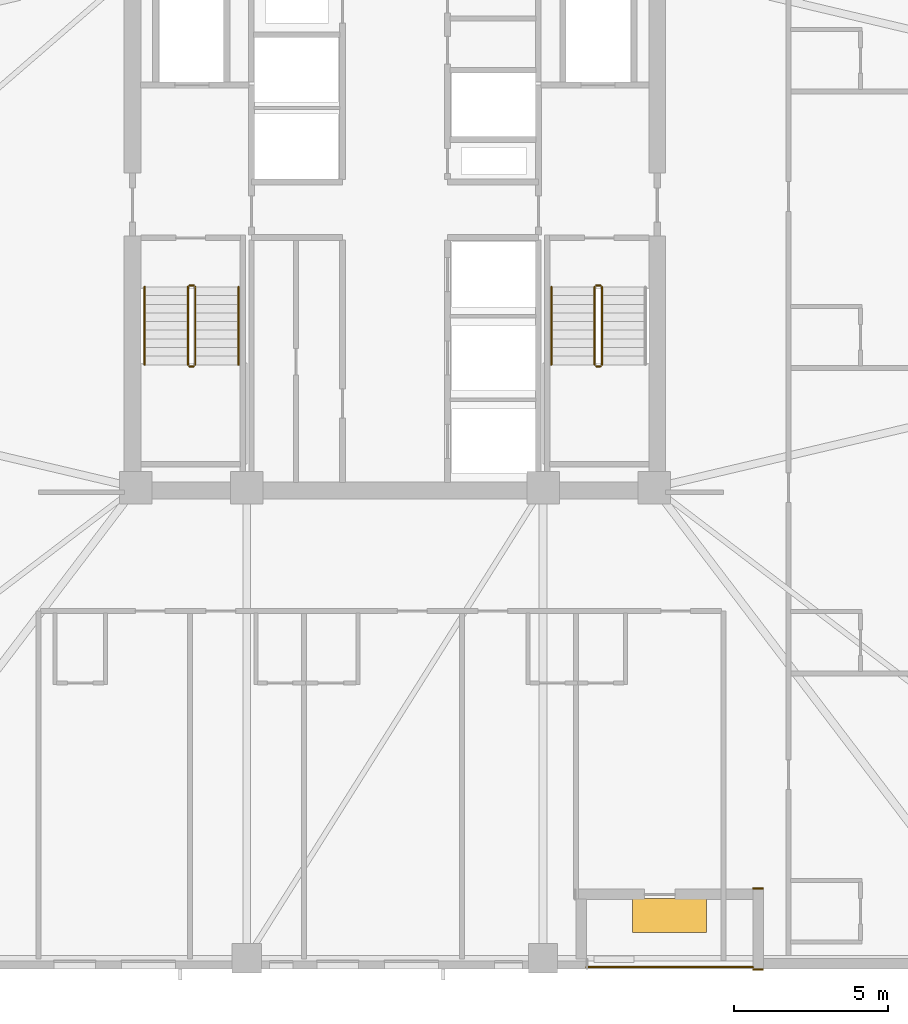
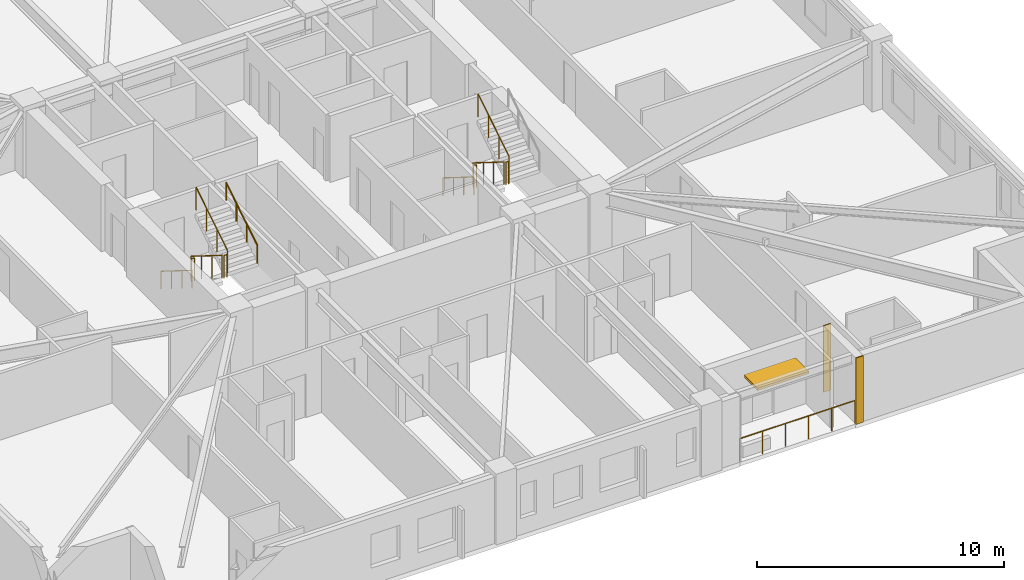
# One storey, part 8 of 11: 12 railings, 2 coverings, 1 shading device.
"""IFC4 building model written with IfcOpenShell, lengths in metres."""

from ifc_helpers import new_model, si_unit, direction, frame, frame_2d, origin, origin_2d, place, context, subcontext, project, spatial, rectangle, circle, extrude, material, layer, layer_set, type_object, element, save


model = new_model("IFC4")

# Units and contexts
model_context = context("Model", 3, precision=1e-05, world=origin(), true_north=direction((0.0, 1.0)))
body_context = subcontext(model_context, "Body", "Model", "MODEL_VIEW")
ifc_project = project(units=[si_unit("LENGTHUNIT", "METRE"), si_unit("AREAUNIT", "SQUARE_METRE"), si_unit("VOLUMEUNIT", "CUBIC_METRE"), si_unit("PLANEANGLEUNIT", "RADIAN"), si_unit("MASSUNIT", "GRAM", prefix="KILO")], contexts=[model_context])

# Site, building, storey
site_placement = place(None, origin())
site = spatial("IfcSite", under=ifc_project, at=site_placement, CompositionType="ELEMENT")
building_placement = place(site_placement, origin())
building = spatial("IfcBuilding", under=site, at=building_placement, Name="Cairnveth Concourse Tower", CompositionType="ELEMENT")
storey_placement = place(building_placement, frame((0.0, 0.0, 165.5)))
storey = spatial("IfcBuildingStorey", under=building, at=storey_placement, Name="L45", CompositionType="ELEMENT", Elevation=165.5)

# Coverings
ifc_material_1 = material(Name="Dressed Melbourne Bluestone Cladding", Category="masonry")
ifc_layer = layer(ifc_material_1, 0.050048828125)
ifc_layer_set = layer_set([ifc_layer], Name="Dressed Melbourne Bluestone Cladding")
covering_type = type_object("IfcCoveringType", Name="DRESSED BLUESTONE PLINTH CLADDING 50", PredefinedType="CLADDING", material=ifc_layer_set)
for number, where, z_axis, x_axis, name in (
    (1, (63.93994140625, 14.97998046875, 0.0), (0.0, 0.0, 1.0), (-1.0, 0.0, 0.0), "Melbourne Bluestone Corner Quoin L45-672"),
    (2, (63.93994140625, 17.610107421875, 0.0), (0.0, 0.0, 1.0), (-1.0, 0.0, 0.0), "Melbourne Bluestone Corner Quoin L45-673"),
):
    element("IfcCovering", number, at=place(storey_placement, frame(where, z_axis=z_axis, x_axis=x_axis)), inside=storey, type_object=covering_type, Name=name, PredefinedType="CLADDING", context=body_context, shape_type="SweptSolid", body=[
        extrude(rectangle(XDim=0.33984375, YDim=0.050048828125, at=frame_2d((0.169921875, 0.0))), origin(), (0.0, 0.0, 1.0), 3.280029296875),
    ])

# Shading device
ifc_material_2 = material(Name="Architectural Bronze Anodised Aluminium 6063-T6", Category="aluminium")
shading_device_type = type_object("IfcShadingDeviceType", Name="SPIRAL TERRACE SUNSHADE CANOPY", PredefinedType="USERDEFINED", material=ifc_material_2)
shading_device_placement = place(storey_placement, frame((60.89990234375, 16.72998046875, 2.300048828125), z_axis=(0.0, 0.0, 1.0), x_axis=(1.0, 0.0, 0.0)))
element("IfcShadingDevice", 3, at=shading_device_placement, inside=storey, type_object=shading_device_type, Name="Spiral Terrace Sunshade L45", ObjectType="TERRACE SUNSHADE", PredefinedType="USERDEFINED", context=body_context, shape_type="SweptSolid", body=[
    extrude(rectangle(XDim=2.39990234375, YDim=1.10009765625, at=origin_2d()), origin(), (0.0, 0.0, 1.0), 0.1201171875),
])

# Railings
ifc_material_3 = material(Name="Steel Grade 350", Category="steel")
railing_type_1 = type_object("IfcRailingType", Name="STAIR GUARDRAIL 1150", PredefinedType="GUARDRAIL", material=ifc_material_3)
railing_1_placement = place(storey_placement, frame((45.2900390625, 37.10009765625, 0.175048828125)))
element("IfcRailing", 4, at=railing_1_placement, inside=storey, type_object=railing_type_1, Name="L45 ST-1 stair guard 1", PredefinedType="GUARDRAIL", context=body_context, shape_type="SweptSolid", body=[
    extrude(circle(Radius=0.02392578125, at=origin_2d()), frame((0.0, 0.0, 1.1259765625), z_axis=(0.0, -0.848007534815, 0.529984170421), x_axis=(1.0, 0.0, 0.0)), (0.0, 0.0, 1.0), 2.9716796875),
    extrude(circle(Radius=0.02099609375, at=origin_2d()), origin(), (0.0, 0.0, 1.0), 1.101806640625),
    extrude(circle(Radius=0.02099609375, at=origin_2d()), frame((0.0, -0.840087890625, 0.52490234375)), (0.0, 0.0, 1.0), 1.101806640625),
    extrude(circle(Radius=0.02099609375, at=origin_2d()), frame((0.0, -1.679931640625, 1.050048828125)), (0.0, 0.0, 1.0), 1.101806640625),
    extrude(circle(Radius=0.02099609375, at=origin_2d()), frame((0.0, -2.52001953125, 1.574951171875)), (0.0, 0.0, 1.0), 1.101806640625),
])
railing_2_placement = place(storey_placement, frame((45.340087890625, 34.530029296875, 1.75)))
element("IfcRailing", 5, at=railing_2_placement, inside=storey, type_object=railing_type_1, Name="L45 ST-1 stair guard 2", PredefinedType="GUARDRAIL", context=body_context, shape_type="SweptSolid", body=[
    extrude(circle(Radius=0.02392578125, at=origin_2d()), frame((0.0, 0.0, 1.1259765625), z_axis=(1.0, 0.0, 0.0), x_axis=(0.0, 1.0, 0.0)), (0.0, 0.0, 1.0), 0.139892578125),
    extrude(circle(Radius=0.02099609375, at=origin_2d()), origin(), (0.0, 0.0, 1.0), 1.101806640625),
    extrude(circle(Radius=0.02099609375, at=origin_2d()), frame((0.139892578125, 0.0, 0.0)), (0.0, 0.0, 1.0), 1.101806640625),
])
railing_3_placement = place(storey_placement, frame((45.530029296875, 34.580078125, 1.925048828125)))
element("IfcRailing", 6, at=railing_3_placement, inside=storey, type_object=railing_type_1, Name="L45 ST-1 stair guard 3", PredefinedType="GUARDRAIL", context=body_context, shape_type="SweptSolid", body=[
    extrude(circle(Radius=0.02392578125, at=origin_2d()), frame((0.0, 0.0, 1.1259765625), z_axis=(0.0, 0.848007534815, 0.529984170421), x_axis=(-1.0, 0.0, 0.0)), (0.0, 0.0, 1.0), 2.9716796875),
    extrude(circle(Radius=0.02099609375, at=origin_2d()), origin(), (0.0, 0.0, 1.0), 1.101806640625),
    extrude(circle(Radius=0.02099609375, at=origin_2d()), frame((0.0, 0.840087890625, 0.52490234375)), (0.0, 0.0, 1.0), 1.101806640625),
    extrude(circle(Radius=0.02099609375, at=origin_2d()), frame((0.0, 1.679931640625, 1.050048828125)), (0.0, 0.0, 1.0), 1.101806640625),
    extrude(circle(Radius=0.02099609375, at=origin_2d()), frame((0.0, 2.52001953125, 1.574951171875)), (0.0, 0.0, 1.0), 1.101806640625),
])
railing_4_placement = place(storey_placement, frame((45.340087890625, 37.14990234375, 0.0)))
element("IfcRailing", 7, at=railing_4_placement, inside=storey, type_object=railing_type_1, Name="L45 ST-1 stair guard 4", PredefinedType="GUARDRAIL", context=body_context, shape_type="SweptSolid", body=[
    extrude(circle(Radius=0.02392578125, at=origin_2d()), frame((0.0, 0.0, 1.1259765625), z_axis=(1.0, 0.0, 0.0), x_axis=(0.0, 1.0, 0.0)), (0.0, 0.0, 1.0), 0.139892578125),
    extrude(circle(Radius=0.02099609375, at=origin_2d()), origin(), (0.0, 0.0, 1.0), 1.101806640625),
    extrude(circle(Radius=0.02099609375, at=origin_2d()), frame((0.139892578125, 0.0, 0.0)), (0.0, 0.0, 1.0), 1.101806640625),
])
railing_5_placement = place(storey_placement, frame((58.469970703125, 37.10009765625, 0.175048828125)))
element("IfcRailing", 8, at=railing_5_placement, inside=storey, type_object=railing_type_1, Name="L45 ST-2 stair guard 1", PredefinedType="GUARDRAIL", context=body_context, shape_type="SweptSolid", body=[
    extrude(circle(Radius=0.02392578125, at=origin_2d()), frame((0.0, 0.0, 1.1259765625), z_axis=(0.0, -0.848007534815, 0.529984170421), x_axis=(1.0, 0.0, 0.0)), (0.0, 0.0, 1.0), 2.9716796875),
    extrude(circle(Radius=0.02099609375, at=origin_2d()), origin(), (0.0, 0.0, 1.0), 1.101806640625),
    extrude(circle(Radius=0.02099609375, at=origin_2d()), frame((0.0, -0.840087890625, 0.52490234375)), (0.0, 0.0, 1.0), 1.101806640625),
    extrude(circle(Radius=0.02099609375, at=origin_2d()), frame((0.0, -1.679931640625, 1.050048828125)), (0.0, 0.0, 1.0), 1.101806640625),
    extrude(circle(Radius=0.02099609375, at=origin_2d()), frame((0.0, -2.52001953125, 1.574951171875)), (0.0, 0.0, 1.0), 1.101806640625),
])
railing_6_placement = place(storey_placement, frame((58.52001953125, 34.530029296875, 1.75)))
element("IfcRailing", 9, at=railing_6_placement, inside=storey, type_object=railing_type_1, Name="L45 ST-2 stair guard 2", PredefinedType="GUARDRAIL", context=body_context, shape_type="SweptSolid", body=[
    extrude(circle(Radius=0.02392578125, at=origin_2d()), frame((0.0, 0.0, 1.1259765625), z_axis=(1.0, 0.0, 0.0), x_axis=(0.0, 1.0, 0.0)), (0.0, 0.0, 1.0), 0.139892578125),
    extrude(circle(Radius=0.02099609375, at=origin_2d()), origin(), (0.0, 0.0, 1.0), 1.101806640625),
    extrude(circle(Radius=0.02099609375, at=origin_2d()), frame((0.139892578125, 0.0, 0.0)), (0.0, 0.0, 1.0), 1.101806640625),
])
railing_7_placement = place(storey_placement, frame((58.7099609375, 34.580078125, 1.925048828125)))
element("IfcRailing", 10, at=railing_7_placement, inside=storey, type_object=railing_type_1, Name="L45 ST-2 stair guard 3", PredefinedType="GUARDRAIL", context=body_context, shape_type="SweptSolid", body=[
    extrude(circle(Radius=0.02392578125, at=origin_2d()), frame((0.0, 0.0, 1.1259765625), z_axis=(0.0, 0.848007534815, 0.529984170421), x_axis=(-1.0, 0.0, 0.0)), (0.0, 0.0, 1.0), 2.9716796875),
    extrude(circle(Radius=0.02099609375, at=origin_2d()), origin(), (0.0, 0.0, 1.0), 1.101806640625),
    extrude(circle(Radius=0.02099609375, at=origin_2d()), frame((0.0, 0.840087890625, 0.52490234375)), (0.0, 0.0, 1.0), 1.101806640625),
    extrude(circle(Radius=0.02099609375, at=origin_2d()), frame((0.0, 1.679931640625, 1.050048828125)), (0.0, 0.0, 1.0), 1.101806640625),
    extrude(circle(Radius=0.02099609375, at=origin_2d()), frame((0.0, 2.52001953125, 1.574951171875)), (0.0, 0.0, 1.0), 1.101806640625),
])
railing_8_placement = place(storey_placement, frame((58.52001953125, 37.14990234375, 0.0)))
element("IfcRailing", 11, at=railing_8_placement, inside=storey, type_object=railing_type_1, Name="L45 ST-2 stair guard 4", PredefinedType="GUARDRAIL", context=body_context, shape_type="SweptSolid", body=[
    extrude(circle(Radius=0.02392578125, at=origin_2d()), frame((0.0, 0.0, 1.1259765625), z_axis=(1.0, 0.0, 0.0), x_axis=(0.0, 1.0, 0.0)), (0.0, 0.0, 1.0), 0.139892578125),
    extrude(circle(Radius=0.02099609375, at=origin_2d()), origin(), (0.0, 0.0, 1.0), 1.101806640625),
    extrude(circle(Radius=0.02099609375, at=origin_2d()), frame((0.139892578125, 0.0, 0.0)), (0.0, 0.0, 1.0), 1.101806640625),
])
railing_type_2 = type_object("IfcRailingType", Name="STAIR WALL HANDRAIL 900", PredefinedType="HANDRAIL", material=ifc_material_3)
railing_9_placement = place(storey_placement, frame((43.889892578125, 37.10009765625, 0.175048828125)))
element("IfcRailing", 12, at=railing_9_placement, inside=storey, type_object=railing_type_2, Name="L45 ST-1 stair handrail 1", PredefinedType="HANDRAIL", context=body_context, shape_type="SweptSolid", body=[
    extrude(circle(Radius=0.02392578125, at=origin_2d()), frame((0.0, 0.0, 0.8759765625), z_axis=(0.0, -0.848007534815, 0.529984170421), x_axis=(1.0, 0.0, 0.0)), (0.0, 0.0, 1.0), 2.9716796875),
    extrude(circle(Radius=0.02099609375, at=origin_2d()), origin(), (0.0, 0.0, 1.0), 0.851806640625),
    extrude(circle(Radius=0.02099609375, at=origin_2d()), frame((0.0, -0.840087890625, 0.52490234375)), (0.0, 0.0, 1.0), 0.851806640625),
    extrude(circle(Radius=0.02099609375, at=origin_2d()), frame((0.0, -1.679931640625, 1.050048828125)), (0.0, 0.0, 1.0), 0.851806640625),
    extrude(circle(Radius=0.02099609375, at=origin_2d()), frame((0.0, -2.52001953125, 1.574951171875)), (0.0, 0.0, 1.0), 0.851806640625),
])
railing_10_placement = place(storey_placement, frame((46.929931640625, 34.580078125, 1.925048828125)))
element("IfcRailing", 13, at=railing_10_placement, inside=storey, type_object=railing_type_2, Name="L45 ST-1 stair handrail 2", PredefinedType="HANDRAIL", context=body_context, shape_type="SweptSolid", body=[
    extrude(circle(Radius=0.02392578125, at=origin_2d()), frame((0.0, 0.0, 0.8759765625), z_axis=(0.0, 0.848007534815, 0.529984170421), x_axis=(-1.0, 0.0, 0.0)), (0.0, 0.0, 1.0), 2.9716796875),
    extrude(circle(Radius=0.02099609375, at=origin_2d()), origin(), (0.0, 0.0, 1.0), 0.851806640625),
    extrude(circle(Radius=0.02099609375, at=origin_2d()), frame((0.0, 0.840087890625, 0.52490234375)), (0.0, 0.0, 1.0), 0.851806640625),
    extrude(circle(Radius=0.02099609375, at=origin_2d()), frame((0.0, 1.679931640625, 1.050048828125)), (0.0, 0.0, 1.0), 0.851806640625),
    extrude(circle(Radius=0.02099609375, at=origin_2d()), frame((0.0, 2.52001953125, 1.574951171875)), (0.0, 0.0, 1.0), 0.851806640625),
])
railing_11_placement = place(storey_placement, frame((57.070068359375, 37.10009765625, 0.175048828125)))
element("IfcRailing", 14, at=railing_11_placement, inside=storey, type_object=railing_type_2, Name="L45 ST-2 stair handrail 1", PredefinedType="HANDRAIL", context=body_context, shape_type="SweptSolid", body=[
    extrude(circle(Radius=0.02392578125, at=origin_2d()), frame((0.0, 0.0, 0.8759765625), z_axis=(0.0, -0.848007534815, 0.529984170421), x_axis=(1.0, 0.0, 0.0)), (0.0, 0.0, 1.0), 2.9716796875),
    extrude(circle(Radius=0.02099609375, at=origin_2d()), origin(), (0.0, 0.0, 1.0), 0.851806640625),
    extrude(circle(Radius=0.02099609375, at=origin_2d()), frame((0.0, -0.840087890625, 0.52490234375)), (0.0, 0.0, 1.0), 0.851806640625),
    extrude(circle(Radius=0.02099609375, at=origin_2d()), frame((0.0, -1.679931640625, 1.050048828125)), (0.0, 0.0, 1.0), 0.851806640625),
    extrude(circle(Radius=0.02099609375, at=origin_2d()), frame((0.0, -2.52001953125, 1.574951171875)), (0.0, 0.0, 1.0), 0.851806640625),
])
railing_type_3 = type_object("IfcRailingType", Name="TERRACE BRONZE BALUSTRADE 1150", PredefinedType="BALUSTRADE", material=ifc_material_2)
railing_12_placement = place(storey_placement, frame((58.199951171875, 15.06005859375, 0.0)))
element("IfcRailing", 15, at=railing_12_placement, inside=storey, type_object=railing_type_3, Name="Terrace Balustrade RL-L45-TERR", PredefinedType="BALUSTRADE", context=body_context, shape_type="SweptSolid", body=[
    extrude(circle(Radius=0.02490234375, at=origin_2d()), frame((0.0, 0.0, 1.125), z_axis=(1.0, 0.0, 0.0), x_axis=(0.0, 1.0, 0.0)), (0.0, 0.0, 1.0), 5.400146484375),
    extrude(circle(Radius=0.02099609375, at=origin_2d()), origin(), (0.0, 0.0, 1.0), 1.099853515625),
    extrude(circle(Radius=0.02099609375, at=origin_2d()), frame((1.080078125, 0.0, 0.0)), (0.0, 0.0, 1.0), 1.099853515625),
    extrude(circle(Radius=0.02099609375, at=origin_2d()), frame((2.16015625, 0.0, 0.0)), (0.0, 0.0, 1.0), 1.099853515625),
    extrude(circle(Radius=0.02099609375, at=origin_2d()), frame((3.239990234375, 0.0, 0.0)), (0.0, 0.0, 1.0), 1.099853515625),
    extrude(circle(Radius=0.02099609375, at=origin_2d()), frame((4.320068359375, 0.0, 0.0)), (0.0, 0.0, 1.0), 1.099853515625),
    extrude(circle(Radius=0.02099609375, at=origin_2d()), frame((5.400146484375, 0.0, 0.0)), (0.0, 0.0, 1.0), 1.099853515625),
])

save(model, "model.ifc")
